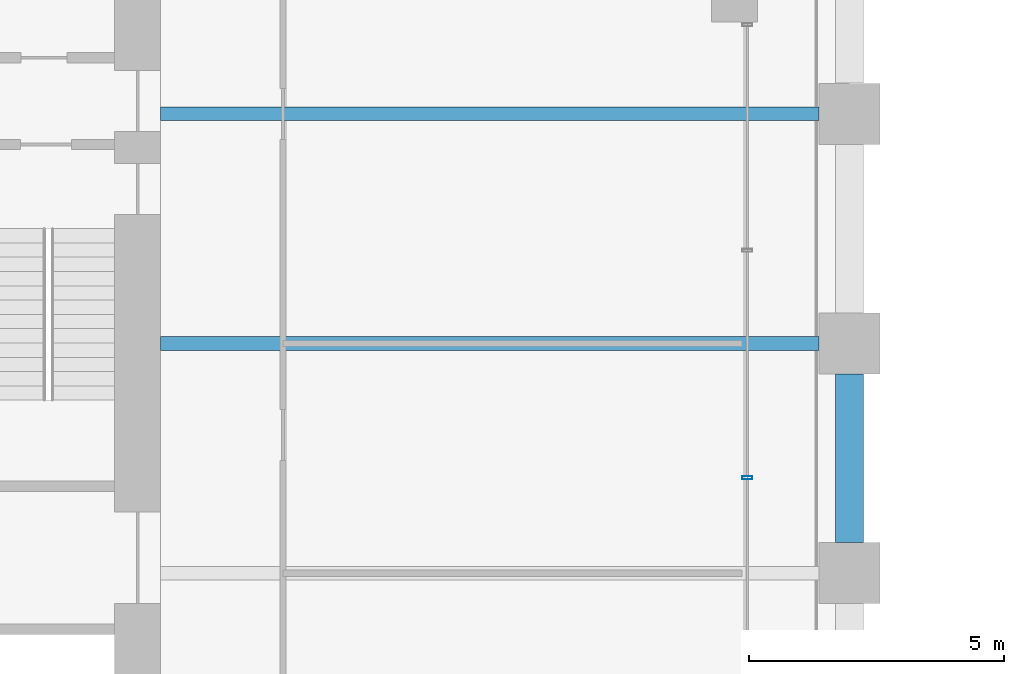
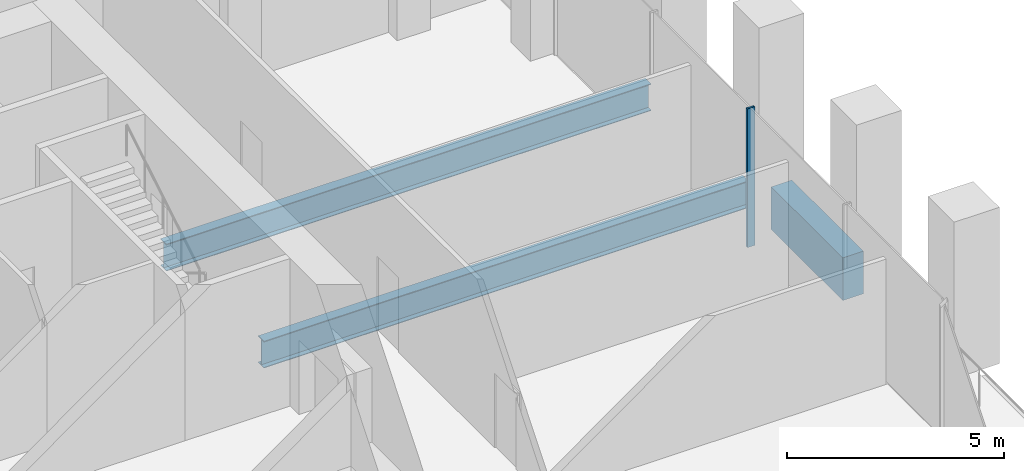
# One storey, part 11 of 36: 3 beams, 1 member, 1 element without a shape of its own.
"""IFC4 building model written with IfcOpenShell, lengths in metres."""

import ifcopenshell
import ifcopenshell.guid

model = None  # the IFC model being written
_history = None  # IfcOwnerHistory: only IFC2X3 demands one
_inside = {}  # id of a spatial element -> (the spatial element, [elements in it])
_under = {}  # id of a project, library or spatial element -> (it, [spatial elements below it])
_declared = {}  # id of a project -> (the project, [libraries it declares])
_typed = {}  # id of a type object -> (the type object, [elements of that type])
_made_of = {}  # id of a material, layer set ... -> (it, [elements and type objects made of it])


def new_model(schema):
    """Start an empty IFC model of exactly this schema.

    Asked for "IFC4X3", IfcOpenShell would pick the latest addendum, in which some entities
    have other attributes; the version numbers below select the first issue.
    IFC2X3 requires an IfcOwnerHistory on every rooted entity: one is made here for all.
    """
    global model, _history
    if schema == "IFC4X3":
        model = ifcopenshell.file(schema_version=(4, 3, 0, 0))
    else:
        model = ifcopenshell.file(schema=schema)
    _inside.clear()
    _under.clear()
    _declared.clear()
    _typed.clear()
    _made_of.clear()
    _history = None
    if model.schema == "IFC2X3":
        org = make("IfcOrganization", Name="unknown")
        user = make(
            "IfcPersonAndOrganization",
            ThePerson=make("IfcPerson", FamilyName="unknown"),
            TheOrganization=org,
        )
        app = make(
            "IfcApplication",
            ApplicationDeveloper=org,
            Version="unknown",
            ApplicationFullName="unknown",
            ApplicationIdentifier="unknown",
        )
        _history = make(
            "IfcOwnerHistory",
            OwningUser=user,
            OwningApplication=app,
            ChangeAction="ADDED",
            CreationDate=0,
        )
    return model


def make(cls, **values):
    """One entity of the class cls with the attributes given. An attribute that is None is left unset."""
    return model.create_entity(
        cls, **{name: value for name, value in values.items() if value is not None}
    )


def rooted(cls, **values):
    """An entity with a GlobalId (a new one), such as an element, a storey or a relation."""
    return make(cls, GlobalId=ifcopenshell.guid.new(), OwnerHistory=_history, **values)


def si_unit(unit_type, name, prefix=None):
    """IfcSIUnit, for example si_unit("LENGTHUNIT", "METRE", prefix="MILLI")."""
    return make("IfcSIUnit", UnitType=unit_type, Prefix=prefix, Name=name)


def assignment(units):
    """IfcUnitAssignment: the units of a project."""
    return None if units is None else make("IfcUnitAssignment", Units=units)


def point(xyz):
    """IfcCartesianPoint."""
    return None if xyz is None else make("IfcCartesianPoint", Coordinates=xyz)


def direction(xyz):
    """IfcDirection."""
    return None if xyz is None else make("IfcDirection", DirectionRatios=xyz)


def frame(location, z_axis=None, x_axis=None):
    """IfcAxis2Placement3D, a coordinate frame: its origin and axes. An axis left out is left unset."""
    return make(
        "IfcAxis2Placement3D",
        Location=point(location),
        Axis=direction(z_axis),
        RefDirection=direction(x_axis),
    )


def frame_2d(location, x_axis=None):
    """IfcAxis2Placement2D, a coordinate frame in the plane: its origin and x axis."""
    return make(
        "IfcAxis2Placement2D", Location=point(location), RefDirection=direction(x_axis)
    )


def origin():
    """The frame at (0, 0, 0) with its axes left unset."""
    return frame((0.0, 0.0, 0.0))


def origin_2d():
    """The frame at (0, 0) in the plane with its x axis left unset."""
    return frame_2d((0.0, 0.0))


def place(relative_to, where):
    """IfcLocalPlacement: puts the frame where relative to a parent placement (None: the world)."""
    return make(
        "IfcLocalPlacement", PlacementRelTo=relative_to, RelativePlacement=where
    )


def context(
    kind, dimensions, precision=None, world=None, true_north=None, identifier=None
):
    """IfcGeometricRepresentationContext, for example the 3D "Model" context."""
    return make(
        "IfcGeometricRepresentationContext",
        ContextIdentifier=identifier,
        ContextType=kind,
        CoordinateSpaceDimension=dimensions,
        Precision=precision,
        WorldCoordinateSystem=world,
        TrueNorth=true_north,
    )


def subcontext(parent, identifier, kind, view, scale=None):
    """IfcGeometricRepresentationSubContext, for example "Body" below "Model"."""
    return make(
        "IfcGeometricRepresentationSubContext",
        ContextIdentifier=identifier,
        ContextType=kind,
        ParentContext=parent,
        TargetScale=scale,
        TargetView=view,
    )


def project(units=None, contexts=None):
    """IfcProject with its units and contexts."""
    return rooted(
        "IfcProject",
        Name="project",
        RepresentationContexts=contexts,
        UnitsInContext=assignment(units),
    )


def spatial(cls, under=None, at=None, **own):
    """A site, building, storey or space (cls), placed at a placement, below another one or the project."""
    s = rooted(cls, ObjectPlacement=at, **own)
    if under is not None:
        _under.setdefault(under.id(), (under, []))[1].append(s)
    return s


def profile(cls, at=None, kind="AREA", **sizes):
    """A parametric profile (cls). Its sizes go by their IFC names, for example OverallWidth=200.0."""
    return make(cls, ProfileType=kind, Position=at, **sizes)


def rectangle(**sizes):
    """IfcRectangleProfileDef."""
    return profile("IfcRectangleProfileDef", **sizes)


def hollow_rectangle(**sizes):
    """IfcRectangleHollowProfileDef."""
    return profile("IfcRectangleHollowProfileDef", **sizes)


def i_section(**sizes):
    """IfcIShapeProfileDef."""
    return profile("IfcIShapeProfileDef", **sizes)


def extrude(swept, where, along, depth):
    """IfcExtrudedAreaSolid: the profile swept, set in the frame where, extruded along a direction by depth."""
    return make(
        "IfcExtrudedAreaSolid",
        SweptArea=swept,
        Position=where,
        ExtrudedDirection=direction(along),
        Depth=depth,
    )


def shape(context_of_items, identifier, shape_type, items):
    """IfcShapeRepresentation: the items that make up one representation, for example the "Body"."""
    return make(
        "IfcShapeRepresentation",
        ContextOfItems=context_of_items,
        RepresentationIdentifier=identifier,
        RepresentationType=shape_type,
        Items=items,
    )


def material(Name=None, Category=None):
    """IfcMaterial."""
    return make("IfcMaterial", Name=Name, Category=Category)


def material_profile(
    of_material, cross_section, Name=None, Category=None, Priority=None
):
    """IfcMaterialProfile: a cross section and its material."""
    return make(
        "IfcMaterialProfile",
        Name=Name,
        Material=of_material,
        Profile=cross_section,
        Priority=Priority,
        Category=Category,
    )


def profile_set(profiles, Name=None, composite=None):
    """IfcMaterialProfileSet."""
    return make(
        "IfcMaterialProfileSet",
        Name=Name,
        MaterialProfiles=profiles,
        CompositeProfile=composite,
    )


def made_of(thing, what):
    """Note that an element or type object is made of a material, layer set ...; save() writes the relation."""
    if what is not None:
        _made_of.setdefault(what.id(), (what, []))[1].append(thing)
    return thing


def type_object(cls, material=None, **own):
    """A type object (cls), such as IfcWallType, which elements share."""
    return made_of(rooted(cls, **own), material)


def element(
    cls,
    number,
    at=None,
    inside=None,
    cuts=None,
    type_object=None,
    material=None,
    context=None,
    identifier="Body",
    shape_type=None,
    held_by="IfcProductDefinitionShape",
    body=None,
    shapes=None,
    **own,
):
    """One element of the class cls, such as IfcWall. Its Tag is "e" and its number.

    at: its placement. inside: the storey or other place that contains it. cuts: it is an
    opening in that element (IfcRelVoidsElement). A single representation is given by context,
    identifier, shape_type and body (its items); several are given by shapes. held_by: the class
    of the entity that holds the representations. save() writes the other relations.
    """
    e = rooted(cls, Tag="e%d" % number, ObjectPlacement=at, **own)
    if body is not None:
        shapes = [shape(context, identifier, shape_type, body)]
    if shapes is not None:
        e.Representation = make(held_by, Representations=shapes)
    if inside is not None:
        _inside.setdefault(inside.id(), (inside, []))[1].append(e)
    if cuts is not None:
        rooted(
            "IfcRelVoidsElement", RelatingBuildingElement=cuts, RelatedOpeningElement=e
        )
    if type_object is not None:
        _typed.setdefault(type_object.id(), (type_object, []))[1].append(e)
    return made_of(e, material)


def aggregate(whole, parts):
    """IfcRelAggregates: a whole, such as a stair, and the parts it consists of."""
    return rooted("IfcRelAggregates", RelatingObject=whole, RelatedObjects=parts)


def save(model, path):
    """Write the relations noted so far, then the file.

    IfcRelAggregates (storeys below a building ...), IfcRelContainedInSpatialStructure (elements
    in a storey), IfcRelDefinesByType, IfcRelAssociatesMaterial and IfcRelDeclares: one each for
    every whole, place, type object, material and project.
    """
    for whole, parts in _under.values():
        aggregate(whole, parts)
    for where, things in _inside.values():
        rooted(
            "IfcRelContainedInSpatialStructure",
            RelatedElements=things,
            RelatingStructure=where,
        )
    for kind, things in _typed.values():
        rooted("IfcRelDefinesByType", RelatedObjects=things, RelatingType=kind)
    for what, things in _made_of.values():
        rooted("IfcRelAssociatesMaterial", RelatedObjects=things, RelatingMaterial=what)
    for by, libraries in _declared.values():
        rooted("IfcRelDeclares", RelatingContext=by, RelatedDefinitions=libraries)
    model.write(path)


model = new_model("IFC4")

# Units and contexts
model_context = context("Model", 3, precision=1e-05, world=origin(), true_north=direction((0.0, 1.0)))
body_context = subcontext(model_context, "Body", "Model", "MODEL_VIEW")
ifc_project = project(units=[si_unit("LENGTHUNIT", "METRE"), si_unit("AREAUNIT", "SQUARE_METRE"), si_unit("VOLUMEUNIT", "CUBIC_METRE"), si_unit("PLANEANGLEUNIT", "RADIAN"), si_unit("MASSUNIT", "GRAM", prefix="KILO")], contexts=[model_context])

# Site, building, storey
site_placement = place(None, origin())
site = spatial("IfcSite", under=ifc_project, at=site_placement, CompositionType="ELEMENT")
building_placement = place(site_placement, origin())
building = spatial("IfcBuilding", under=site, at=building_placement, Name="Altepetl Exchange Towers", CompositionType="ELEMENT")
storey_placement = place(building_placement, frame((0.0, 0.0, 43.0)))
storey = spatial("IfcBuildingStorey", under=building, at=storey_placement, Name="L09", CompositionType="ELEMENT", Elevation=43.0)

# Beams
ifc_material_1 = material(Name="Steel S355", Category="steel")
ifc_material_profile_1 = material_profile(ifc_material_1, i_section(OverallWidth=0.26611328125, OverallDepth=0.758056640625, WebThickness=0.013916015625, FlangeThickness=0.019287109375, at=origin_2d()), Name="W30X108")
ifc_profile_set_1 = profile_set([ifc_material_profile_1], Name="Steel S355")
beam_type_1 = type_object("IfcBeamType", Name="Floor beam W30X108", PredefinedType="BEAM", material=ifc_profile_set_1)
for number, where, z_axis, x_axis, name in (
    (1, (58.5, 49.5, -0.553955078125), (1.0, 0.0, 0.0), (0.0, 1.0, 0.0), "bm:A:L09:010"),
    (2, (58.5, 54.0, -0.553955078125), (1.0, 0.0, 0.0), (0.0, 1.0, 0.0), "bm:A:L09:011"),
):
    element("IfcBeam", number, at=place(storey_placement, frame(where, z_axis=z_axis, x_axis=x_axis)), inside=storey, type_object=beam_type_1, Name=name, PredefinedType="BEAM", context=body_context, shape_type="SweptSolid", body=[
        extrude(i_section(OverallWidth=0.26611328125, OverallDepth=0.758056640625, WebThickness=0.013916015625, FlangeThickness=0.019287109375, at=origin_2d()), origin(), (0.0, 0.0, 1.0), 12.89990234375),
    ])

# Curtain wall, member
ifc_material_2 = material(Name="Aluminium 6063-T6 glazing", Category="aluminium")
curtain_wall_type = type_object("IfcCurtainWallType", Name="Trading floor glazing system", PredefinedType="NOTDEFINED", material=ifc_material_2)
curtain_wall_placement = place(storey_placement, origin())
curtain_wall = element("IfcCurtainWall", 3, at=curtain_wall_placement, inside=storey, type_object=curtain_wall_type, Name="CW2 run", PredefinedType="NOTDEFINED")
ifc_material_3 = material(Name="Aluminium 6063-T6", Category="aluminium")
ifc_material_profile_2 = material_profile(ifc_material_3, hollow_rectangle(XDim=0.06005859375, YDim=0.199951171875, WallThickness=0.0029296875, at=origin_2d()), Name="Mullion 60x200 aluminium")
ifc_profile_set_2 = profile_set([ifc_material_profile_2], Name="Aluminium 6063-T6")
member_type = type_object("IfcMemberType", Name="Mullion 60x200 aluminium", PredefinedType="MULLION", material=ifc_profile_set_2)
member_placement = place(storey_placement, frame((70.0, 46.867919921875, 0.0), z_axis=(0.0, 0.0, 1.0), x_axis=(0.0, 1.0, 0.0)))
member = element("IfcMember", 4, at=member_placement, type_object=member_type, Name="MU2 mullion", PredefinedType="MULLION", context=body_context, shape_type="SweptSolid", body=[
    extrude(hollow_rectangle(XDim=0.06005859375, YDim=0.199951171875, WallThickness=0.0029296875, at=origin_2d()), origin(), (0.0, 0.0, 1.0), 3.89990234375),
])
aggregate(curtain_wall, [member])

# Beam
ifc_material_4 = material(Name="Concrete C50/60 precast with cantera amarilla facing", Category="concrete")
ifc_material_profile_3 = material_profile(ifc_material_4, rectangle(XDim=0.550048828125, YDim=1.199951171875, at=origin_2d()), Name="550 x 1200")
ifc_profile_set_3 = profile_set([ifc_material_profile_3], Name="Concrete C50/60 precast with cantera amarilla facing")
beam_type_2 = type_object("IfcBeamType", Name="Spandrel beam 550x1200 cantera amarilla", PredefinedType="SPANDREL", material=ifc_profile_set_3)
beam_placement = place(storey_placement, frame((72.0, 45.60009765625, -0.77490234375), z_axis=(0.0, 1.0, 0.0), x_axis=(-1.0, 0.0, 0.0)))
element("IfcBeam", 5, at=beam_placement, inside=storey, type_object=beam_type_2, Name="sp:A:L09:015", PredefinedType="SPANDREL", context=body_context, shape_type="SweptSolid", body=[
    extrude(rectangle(XDim=0.550048828125, YDim=1.199951171875, at=origin_2d()), origin(), (0.0, 0.0, 1.0), 3.2998046875),
])

save(model, "model.ifc")
